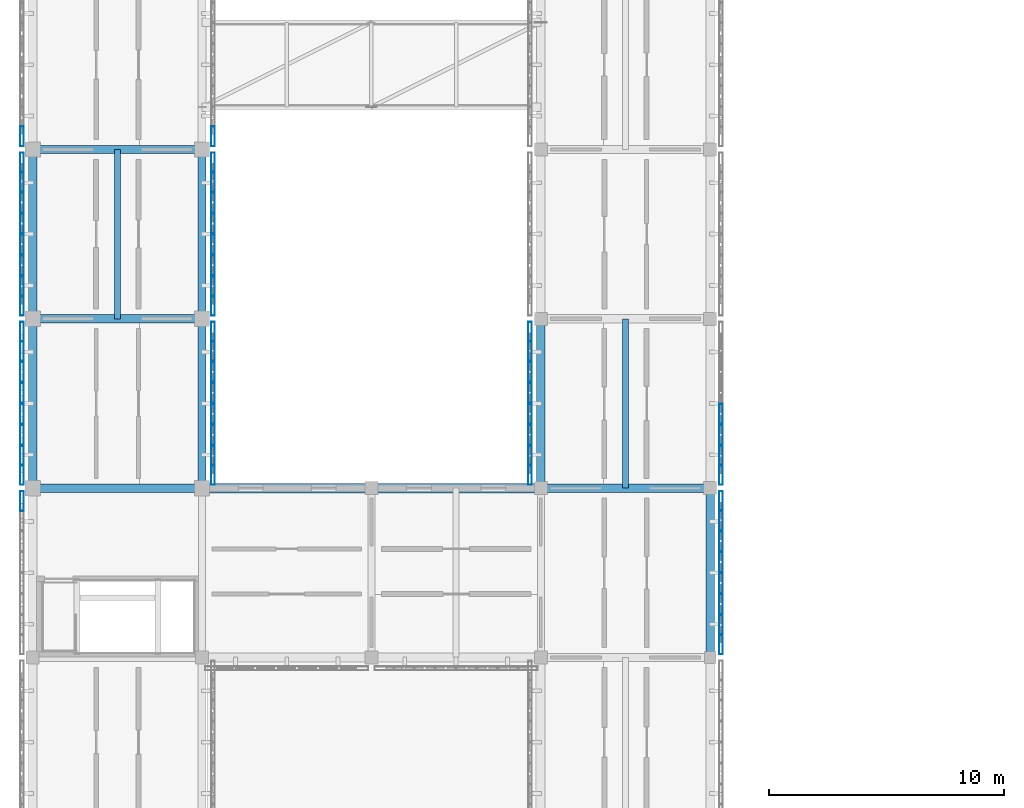
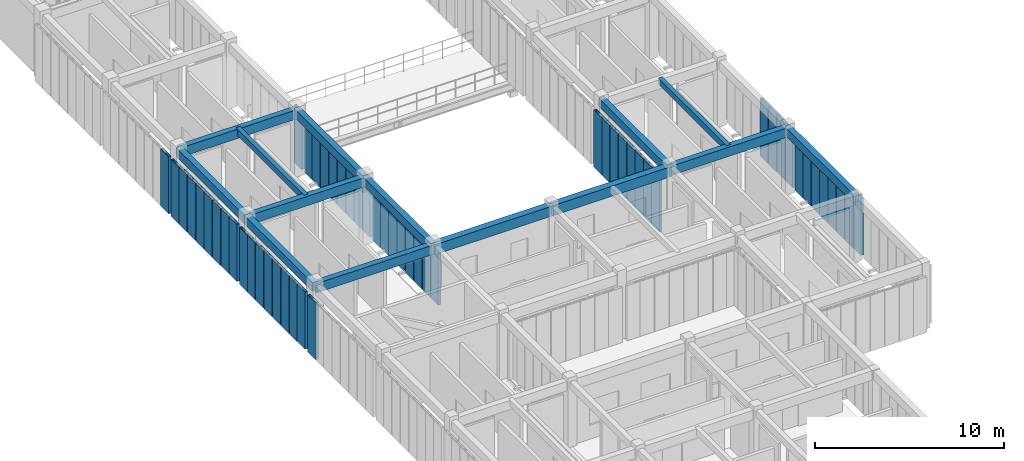
# One storey, part 7 of 91: 55 members, 14 beams, 10 elements without a shape of their own.
"""IFC4 building model written with IfcOpenShell, lengths in metres."""

from ifc_helpers import new_model, si_unit, direction, frame, origin, origin_2d, place, context, subcontext, project, spatial, rectangle, hollow_rectangle, extrude, material, material_profile, profile_set, type_object, element, aggregate, save


model = new_model("IFC4")

# Units and contexts
model_context = context("Model", 3, precision=1e-05, world=origin(), true_north=direction((0.0, 1.0)))
body_context = subcontext(model_context, "Body", "Model", "MODEL_VIEW")
ifc_project = project(units=[si_unit("LENGTHUNIT", "METRE"), si_unit("AREAUNIT", "SQUARE_METRE"), si_unit("VOLUMEUNIT", "CUBIC_METRE"), si_unit("PLANEANGLEUNIT", "RADIAN"), si_unit("MASSUNIT", "GRAM", prefix="KILO")], contexts=[model_context])

# Site, building, storey
site_placement = place(None, origin())
site = spatial("IfcSite", under=ifc_project, at=site_placement, CompositionType="ELEMENT")
building_placement = place(site_placement, origin())
building = spatial("IfcBuilding", under=site, at=building_placement, Name="Aldebral Square Health Centre", CompositionType="ELEMENT")
storey_placement = place(building_placement, frame((0.0, 0.0, 9.0)))
storey = spatial("IfcBuildingStorey", under=building, at=storey_placement, Name="L02", CompositionType="ELEMENT", Elevation=9.0)

# Beams
ifc_material_1 = material(Name="Concrete C40/50", Category="concrete")
ifc_material_profile_1 = material_profile(ifc_material_1, rectangle(XDim=0.39990234375, YDim=0.64990234375, at=origin_2d()), Name="RC 400x650")
ifc_profile_set_1 = profile_set([ifc_material_profile_1], Name="Concrete C40/50")
beam_type_1 = type_object("IfcBeamType", Name="BM-B1", PredefinedType="BEAM", material=ifc_profile_set_1)
beam_1_placement = place(storey_placement, frame((7.199951171875, 64.800048828125, 3.9150390625), z_axis=(1.0, 0.0, 0.0), x_axis=(0.0, 1.0, 0.0)))
element("IfcBeam", 1, at=beam_1_placement, inside=storey, type_object=beam_type_1, Name="L02 X-beam 2-3/G10", PredefinedType="BEAM", context=body_context, shape_type="SweptSolid", body=[
    extrude(rectangle(XDim=0.39990234375, YDim=0.64990234375, at=origin_2d()), origin(), (0.0, 0.0, 1.0), 7.199951171875),
])
beam_2_placement = place(storey_placement, frame((14.39990234375, 64.800048828125, 3.9150390625), z_axis=(1.0, 0.0, 0.0), x_axis=(0.0, 1.0, 0.0)))
element("IfcBeam", 2, at=beam_2_placement, inside=storey, type_object=beam_type_1, Name="L02 X-beam 3-4/G10", PredefinedType="BEAM", context=body_context, shape_type="SweptSolid", body=[
    extrude(rectangle(XDim=0.39990234375, YDim=0.64990234375, at=origin_2d()), origin(), (0.0, 0.0, 1.0), 7.2001953125),
])
ifc_material_profile_2 = material_profile(ifc_material_1, rectangle(XDim=0.35009765625, YDim=0.60009765625, at=origin_2d()), Name="RC 350x600")
ifc_profile_set_2 = profile_set([ifc_material_profile_2], Name="Concrete C40/50")
beam_type_2 = type_object("IfcBeamType", Name="BM-B2", PredefinedType="BEAM", material=ifc_profile_set_2)
for number, where, z_axis, x_axis, name in (
    (3, (0.0, 64.800048828125, 3.93994140625), (1.0, 0.0, 0.0), (0.0, 1.0, 0.0), "L02 X-beam 1-2/G10"),
    (4, (0.0, 72.0, 3.93994140625), (1.0, 0.0, 0.0), (0.0, 1.0, 0.0), "L02 X-beam 1-2/G11"),
    (5, (0.0, 79.199951171875, 3.93994140625), (1.0, 0.0, 0.0), (0.0, 1.0, 0.0), "L02 X-beam 1-2/G12"),
    (6, (21.60009765625, 64.800048828125, 3.93994140625), (1.0, 0.0, 0.0), (0.0, 1.0, 0.0), "L02 X-beam 4-5/G10"),
):
    element("IfcBeam", number, at=place(storey_placement, frame(where, z_axis=z_axis, x_axis=x_axis)), inside=storey, type_object=beam_type_2, Name=name, PredefinedType="BEAM", context=body_context, shape_type="SweptSolid", body=[
        extrude(rectangle(XDim=0.35009765625, YDim=0.60009765625, at=origin_2d()), origin(), (0.0, 0.0, 1.0), 7.199951171875),
    ])
ifc_material_profile_3 = material_profile(ifc_material_1, rectangle(XDim=0.35009765625, YDim=0.550048828125, at=origin_2d()), Name="RC 350x550")
ifc_profile_set_3 = profile_set([ifc_material_profile_3], Name="Concrete C40/50")
beam_type_3 = type_object("IfcBeamType", Name="BM-B3", PredefinedType="BEAM", material=ifc_profile_set_3)
for number, where, z_axis, x_axis, name in (
    (7, (0.0, 64.800048828125, 3.965087890625), (0.0, 1.0, 0.0), (-1.0, 0.0, 0.0), "L02 Y-beam G1/10-11"),
    (8, (0.0, 72.0, 3.965087890625), (0.0, 1.0, 0.0), (-1.0, 0.0, 0.0), "L02 Y-beam G1/11-12"),
    (9, (7.199951171875, 64.800048828125, 3.965087890625), (0.0, 1.0, 0.0), (-1.0, 0.0, 0.0), "L02 Y-beam G2/10-11"),
    (10, (7.199951171875, 72.0, 3.965087890625), (0.0, 1.0, 0.0), (-1.0, 0.0, 0.0), "L02 Y-beam G2/11-12"),
    (11, (21.60009765625, 64.800048828125, 3.965087890625), (0.0, 1.0, 0.0), (-1.0, 0.0, 0.0), "L02 Y-beam G4/10-11"),
    (12, (28.800048828125, 57.60009765625, 3.965087890625), (0.0, 1.0, 0.0), (-1.0, 0.0, 0.0), "L02 Y-beam G5/9-10"),
):
    element("IfcBeam", number, at=place(storey_placement, frame(where, z_axis=z_axis, x_axis=x_axis)), inside=storey, type_object=beam_type_3, Name=name, PredefinedType="BEAM", context=body_context, shape_type="SweptSolid", body=[
        extrude(rectangle(XDim=0.35009765625, YDim=0.550048828125, at=origin_2d()), origin(), (0.0, 0.0, 1.0), 7.199951171875),
    ])
ifc_material_profile_4 = material_profile(ifc_material_1, rectangle(XDim=0.25, YDim=0.39990234375, at=origin_2d()), Name="RC 250x400")
ifc_profile_set_4 = profile_set([ifc_material_profile_4], Name="Concrete C40/50")
beam_type_4 = type_object("IfcBeamType", Name="BM-B6", PredefinedType="JOIST", material=ifc_profile_set_4)
for number, where, z_axis, x_axis, name in (
    (13, (3.60009765625, 72.0, 4.0400390625), (0.0, 1.0, 0.0), (-1.0, 0.0, 0.0), "L02 secondary rib 1.11"),
    (14, (25.199951171875, 64.800048828125, 4.0400390625), (0.0, 1.0, 0.0), (-1.0, 0.0, 0.0), "L02 secondary rib 4.10"),
):
    element("IfcBeam", number, at=place(storey_placement, frame(where, z_axis=z_axis, x_axis=x_axis)), inside=storey, type_object=beam_type_4, Name=name, PredefinedType="JOIST", context=body_context, shape_type="SweptSolid", body=[
        extrude(rectangle(XDim=0.25, YDim=0.39990234375, at=origin_2d()), origin(), (0.0, 0.0, 1.0), 7.199951171875),
    ])

# Curtain wall, member
ifc_material_2 = material(Name="Aluminium and low-E solar glass", Category="aluminium")
curtain_wall_type = type_object("IfcCurtainWallType", Name="CW-FIN-SYS", PredefinedType="USERDEFINED", material=ifc_material_2)
curtain_wall_1_placement = place(storey_placement, origin())
curtain_wall_1 = element("IfcCurtainWall", 15, at=curtain_wall_1_placement, inside=storey, type_object=curtain_wall_type, Name="L02 V4 finned curtain wall L02-V4-00-08-W", ObjectType="SOLAR_CURTAIN_WALL", PredefinedType="USERDEFINED")
ifc_material_3 = material(Name="Sienna-terracotta clad aluminium fin", Category="masonry")
ifc_material_profile_5 = material_profile(ifc_material_3, hollow_rectangle(XDim=0.159912109375, YDim=0.85009765625, WallThickness=0.006103515625, at=origin_2d()), Name="FIN 160x850x6")
ifc_profile_set_5 = profile_set([ifc_material_profile_5], Name="Sienna-terracotta clad aluminium fin")
member_type = type_object("IfcMemberType", Name="CWM-FIN", PredefinedType="MULLION", material=ifc_profile_set_5)
member_1_placement = place(storey_placement, frame((-0.4599609375, 64.239990234375, 0.0), z_axis=(0.0, 0.0, 1.0), x_axis=(1.0, 0.0, 0.0)))
member_1 = element("IfcMember", 16, at=member_1_placement, type_object=member_type, Name="CW1 mullion 1", PredefinedType="MULLION", context=body_context, shape_type="SweptSolid", body=[
    extrude(hollow_rectangle(XDim=0.159912109375, YDim=0.85009765625, WallThickness=0.006103515625, at=origin_2d()), origin(), (0.0, 0.0, 1.0), 3.68994140625),
])
aggregate(curtain_wall_1, [member_1])

# Curtain wall, members
curtain_wall_2_placement = place(storey_placement, origin())
curtain_wall_2 = element("IfcCurtainWall", 17, at=curtain_wall_2_placement, inside=storey, type_object=curtain_wall_type, Name="L02 V4 finned curtain wall L02-V4-00-09-W", ObjectType="SOLAR_CURTAIN_WALL", PredefinedType="USERDEFINED")
member_2_placement = place(storey_placement, frame((-0.4599609375, 71.43994140625, 0.0), z_axis=(0.0, 0.0, 1.0), x_axis=(1.0, 0.0, 0.0)))
member_2 = element("IfcMember", 18, at=member_2_placement, type_object=member_type, Name="CW1 mullion 1", PredefinedType="MULLION", context=body_context, shape_type="SweptSolid", body=[
    extrude(hollow_rectangle(XDim=0.159912109375, YDim=0.85009765625, WallThickness=0.006103515625, at=origin_2d()), origin(), (0.0, 0.0, 1.0), 3.68994140625),
])
member_3_placement = place(storey_placement, frame((-0.4599609375, 70.628662109375, 0.0), z_axis=(0.0, 0.0, 1.0), x_axis=(1.0, 0.0, 0.0)))
member_3 = element("IfcMember", 19, at=member_3_placement, type_object=member_type, Name="CW1 mullion 2", PredefinedType="MULLION", context=body_context, shape_type="SweptSolid", body=[
    extrude(hollow_rectangle(XDim=0.159912109375, YDim=0.85009765625, WallThickness=0.006103515625, at=origin_2d()), origin(), (0.0, 0.0, 1.0), 3.68994140625),
])
member_4_placement = place(storey_placement, frame((-0.4599609375, 69.737060546875, 0.0), z_axis=(0.0, 0.0, 1.0), x_axis=(1.0, 0.0, 0.0)))
member_4 = element("IfcMember", 20, at=member_4_placement, type_object=member_type, Name="CW1 mullion 3", PredefinedType="MULLION", context=body_context, shape_type="SweptSolid", body=[
    extrude(hollow_rectangle(XDim=0.159912109375, YDim=0.85009765625, WallThickness=0.006103515625, at=origin_2d()), origin(), (0.0, 0.0, 1.0), 3.68994140625),
])
member_5_placement = place(storey_placement, frame((-0.4599609375, 68.845703125, 0.0), z_axis=(0.0, 0.0, 1.0), x_axis=(1.0, 0.0, 0.0)))
member_5 = element("IfcMember", 21, at=member_5_placement, type_object=member_type, Name="CW1 mullion 4", PredefinedType="MULLION", context=body_context, shape_type="SweptSolid", body=[
    extrude(hollow_rectangle(XDim=0.159912109375, YDim=0.85009765625, WallThickness=0.006103515625, at=origin_2d()), origin(), (0.0, 0.0, 1.0), 3.68994140625),
])
member_6_placement = place(storey_placement, frame((-0.4599609375, 67.954345703125, 0.0), z_axis=(0.0, 0.0, 1.0), x_axis=(1.0, 0.0, 0.0)))
member_6 = element("IfcMember", 22, at=member_6_placement, type_object=member_type, Name="CW1 mullion 5", PredefinedType="MULLION", context=body_context, shape_type="SweptSolid", body=[
    extrude(hollow_rectangle(XDim=0.159912109375, YDim=0.85009765625, WallThickness=0.006103515625, at=origin_2d()), origin(), (0.0, 0.0, 1.0), 3.68994140625),
])
member_7_placement = place(storey_placement, frame((-0.4599609375, 67.062744140625, 0.0), z_axis=(0.0, 0.0, 1.0), x_axis=(1.0, 0.0, 0.0)))
member_7 = element("IfcMember", 23, at=member_7_placement, type_object=member_type, Name="CW1 mullion 6", PredefinedType="MULLION", context=body_context, shape_type="SweptSolid", body=[
    extrude(hollow_rectangle(XDim=0.159912109375, YDim=0.85009765625, WallThickness=0.006103515625, at=origin_2d()), origin(), (0.0, 0.0, 1.0), 3.68994140625),
])
member_8_placement = place(storey_placement, frame((-0.4599609375, 66.17138671875, 0.0), z_axis=(0.0, 0.0, 1.0), x_axis=(1.0, 0.0, 0.0)))
member_8 = element("IfcMember", 24, at=member_8_placement, type_object=member_type, Name="CW1 mullion 7", PredefinedType="MULLION", context=body_context, shape_type="SweptSolid", body=[
    extrude(hollow_rectangle(XDim=0.159912109375, YDim=0.85009765625, WallThickness=0.006103515625, at=origin_2d()), origin(), (0.0, 0.0, 1.0), 3.68994140625),
])
member_9_placement = place(storey_placement, frame((-0.4599609375, 65.360107421875, 0.0), z_axis=(0.0, 0.0, 1.0), x_axis=(1.0, 0.0, 0.0)))
member_9 = element("IfcMember", 25, at=member_9_placement, type_object=member_type, Name="CW1 mullion 8", PredefinedType="MULLION", context=body_context, shape_type="SweptSolid", body=[
    extrude(hollow_rectangle(XDim=0.159912109375, YDim=0.85009765625, WallThickness=0.006103515625, at=origin_2d()), origin(), (0.0, 0.0, 1.0), 3.68994140625),
])
aggregate(curtain_wall_2, [member_2, member_3, member_4, member_5, member_6, member_7, member_8, member_9])

curtain_wall_3_placement = place(storey_placement, origin())
curtain_wall_3 = element("IfcCurtainWall", 26, at=curtain_wall_3_placement, inside=storey, type_object=curtain_wall_type, Name="L02 V4 finned curtain wall L02-V4-00-09-E", ObjectType="SOLAR_CURTAIN_WALL", PredefinedType="USERDEFINED")
member_10_placement = place(storey_placement, frame((7.659912109375, 65.360107421875, 0.0), z_axis=(0.0, 0.0, 1.0), x_axis=(-1.0, 0.0, 0.0)))
member_10 = element("IfcMember", 27, at=member_10_placement, type_object=member_type, Name="CW1 mullion 1", PredefinedType="MULLION", context=body_context, shape_type="SweptSolid", body=[
    extrude(hollow_rectangle(XDim=0.159912109375, YDim=0.85009765625, WallThickness=0.006103515625, at=origin_2d()), origin(), (0.0, 0.0, 1.0), 3.68994140625),
])
member_11_placement = place(storey_placement, frame((7.659912109375, 66.17138671875, 0.0), z_axis=(0.0, 0.0, 1.0), x_axis=(-1.0, 0.0, 0.0)))
member_11 = element("IfcMember", 28, at=member_11_placement, type_object=member_type, Name="CW1 mullion 2", PredefinedType="MULLION", context=body_context, shape_type="SweptSolid", body=[
    extrude(hollow_rectangle(XDim=0.159912109375, YDim=0.85009765625, WallThickness=0.006103515625, at=origin_2d()), origin(), (0.0, 0.0, 1.0), 3.68994140625),
])
member_12_placement = place(storey_placement, frame((7.659912109375, 67.062744140625, 0.0), z_axis=(0.0, 0.0, 1.0), x_axis=(-1.0, 0.0, 0.0)))
member_12 = element("IfcMember", 29, at=member_12_placement, type_object=member_type, Name="CW1 mullion 3", PredefinedType="MULLION", context=body_context, shape_type="SweptSolid", body=[
    extrude(hollow_rectangle(XDim=0.159912109375, YDim=0.85009765625, WallThickness=0.006103515625, at=origin_2d()), origin(), (0.0, 0.0, 1.0), 3.68994140625),
])
member_13_placement = place(storey_placement, frame((7.659912109375, 67.954345703125, 0.0), z_axis=(0.0, 0.0, 1.0), x_axis=(-1.0, 0.0, 0.0)))
member_13 = element("IfcMember", 30, at=member_13_placement, type_object=member_type, Name="CW1 mullion 4", PredefinedType="MULLION", context=body_context, shape_type="SweptSolid", body=[
    extrude(hollow_rectangle(XDim=0.159912109375, YDim=0.85009765625, WallThickness=0.006103515625, at=origin_2d()), origin(), (0.0, 0.0, 1.0), 3.68994140625),
])
member_14_placement = place(storey_placement, frame((7.659912109375, 68.845703125, 0.0), z_axis=(0.0, 0.0, 1.0), x_axis=(-1.0, 0.0, 0.0)))
member_14 = element("IfcMember", 31, at=member_14_placement, type_object=member_type, Name="CW1 mullion 5", PredefinedType="MULLION", context=body_context, shape_type="SweptSolid", body=[
    extrude(hollow_rectangle(XDim=0.159912109375, YDim=0.85009765625, WallThickness=0.006103515625, at=origin_2d()), origin(), (0.0, 0.0, 1.0), 3.68994140625),
])
member_15_placement = place(storey_placement, frame((7.659912109375, 69.737060546875, 0.0), z_axis=(0.0, 0.0, 1.0), x_axis=(-1.0, 0.0, 0.0)))
member_15 = element("IfcMember", 32, at=member_15_placement, type_object=member_type, Name="CW1 mullion 6", PredefinedType="MULLION", context=body_context, shape_type="SweptSolid", body=[
    extrude(hollow_rectangle(XDim=0.159912109375, YDim=0.85009765625, WallThickness=0.006103515625, at=origin_2d()), origin(), (0.0, 0.0, 1.0), 3.68994140625),
])
member_16_placement = place(storey_placement, frame((7.659912109375, 70.628662109375, 0.0), z_axis=(0.0, 0.0, 1.0), x_axis=(-1.0, 0.0, 0.0)))
member_16 = element("IfcMember", 33, at=member_16_placement, type_object=member_type, Name="CW1 mullion 7", PredefinedType="MULLION", context=body_context, shape_type="SweptSolid", body=[
    extrude(hollow_rectangle(XDim=0.159912109375, YDim=0.85009765625, WallThickness=0.006103515625, at=origin_2d()), origin(), (0.0, 0.0, 1.0), 3.68994140625),
])
member_17_placement = place(storey_placement, frame((7.659912109375, 71.43994140625, 0.0), z_axis=(0.0, 0.0, 1.0), x_axis=(-1.0, 0.0, 0.0)))
member_17 = element("IfcMember", 34, at=member_17_placement, type_object=member_type, Name="CW1 mullion 8", PredefinedType="MULLION", context=body_context, shape_type="SweptSolid", body=[
    extrude(hollow_rectangle(XDim=0.159912109375, YDim=0.85009765625, WallThickness=0.006103515625, at=origin_2d()), origin(), (0.0, 0.0, 1.0), 3.68994140625),
])
aggregate(curtain_wall_3, [member_10, member_11, member_12, member_13, member_14, member_15, member_16, member_17])

curtain_wall_4_placement = place(storey_placement, origin())
curtain_wall_4 = element("IfcCurtainWall", 35, at=curtain_wall_4_placement, inside=storey, type_object=curtain_wall_type, Name="L02 V4 finned curtain wall L02-V4-00-10-W", ObjectType="SOLAR_CURTAIN_WALL", PredefinedType="USERDEFINED")
member_18_placement = place(storey_placement, frame((-0.4599609375, 78.639892578125, 0.0), z_axis=(0.0, 0.0, 1.0), x_axis=(1.0, 0.0, 0.0)))
member_18 = element("IfcMember", 36, at=member_18_placement, type_object=member_type, Name="CW1 mullion 1", PredefinedType="MULLION", context=body_context, shape_type="SweptSolid", body=[
    extrude(hollow_rectangle(XDim=0.159912109375, YDim=0.85009765625, WallThickness=0.006103515625, at=origin_2d()), origin(), (0.0, 0.0, 1.0), 3.68994140625),
])
member_19_placement = place(storey_placement, frame((-0.4599609375, 77.82861328125, 0.0), z_axis=(0.0, 0.0, 1.0), x_axis=(1.0, 0.0, 0.0)))
member_19 = element("IfcMember", 37, at=member_19_placement, type_object=member_type, Name="CW1 mullion 2", PredefinedType="MULLION", context=body_context, shape_type="SweptSolid", body=[
    extrude(hollow_rectangle(XDim=0.159912109375, YDim=0.85009765625, WallThickness=0.006103515625, at=origin_2d()), origin(), (0.0, 0.0, 1.0), 3.68994140625),
])
member_20_placement = place(storey_placement, frame((-0.4599609375, 76.937255859375, 0.0), z_axis=(0.0, 0.0, 1.0), x_axis=(1.0, 0.0, 0.0)))
member_20 = element("IfcMember", 38, at=member_20_placement, type_object=member_type, Name="CW1 mullion 3", PredefinedType="MULLION", context=body_context, shape_type="SweptSolid", body=[
    extrude(hollow_rectangle(XDim=0.159912109375, YDim=0.85009765625, WallThickness=0.006103515625, at=origin_2d()), origin(), (0.0, 0.0, 1.0), 3.68994140625),
])
member_21_placement = place(storey_placement, frame((-0.4599609375, 76.045654296875, 0.0), z_axis=(0.0, 0.0, 1.0), x_axis=(1.0, 0.0, 0.0)))
member_21 = element("IfcMember", 39, at=member_21_placement, type_object=member_type, Name="CW1 mullion 4", PredefinedType="MULLION", context=body_context, shape_type="SweptSolid", body=[
    extrude(hollow_rectangle(XDim=0.159912109375, YDim=0.85009765625, WallThickness=0.006103515625, at=origin_2d()), origin(), (0.0, 0.0, 1.0), 3.68994140625),
])
member_22_placement = place(storey_placement, frame((-0.4599609375, 75.154296875, 0.0), z_axis=(0.0, 0.0, 1.0), x_axis=(1.0, 0.0, 0.0)))
member_22 = element("IfcMember", 40, at=member_22_placement, type_object=member_type, Name="CW1 mullion 5", PredefinedType="MULLION", context=body_context, shape_type="SweptSolid", body=[
    extrude(hollow_rectangle(XDim=0.159912109375, YDim=0.85009765625, WallThickness=0.006103515625, at=origin_2d()), origin(), (0.0, 0.0, 1.0), 3.68994140625),
])
member_23_placement = place(storey_placement, frame((-0.4599609375, 74.262939453125, 0.0), z_axis=(0.0, 0.0, 1.0), x_axis=(1.0, 0.0, 0.0)))
member_23 = element("IfcMember", 41, at=member_23_placement, type_object=member_type, Name="CW1 mullion 6", PredefinedType="MULLION", context=body_context, shape_type="SweptSolid", body=[
    extrude(hollow_rectangle(XDim=0.159912109375, YDim=0.85009765625, WallThickness=0.006103515625, at=origin_2d()), origin(), (0.0, 0.0, 1.0), 3.68994140625),
])
member_24_placement = place(storey_placement, frame((-0.4599609375, 73.371337890625, 0.0), z_axis=(0.0, 0.0, 1.0), x_axis=(1.0, 0.0, 0.0)))
member_24 = element("IfcMember", 42, at=member_24_placement, type_object=member_type, Name="CW1 mullion 7", PredefinedType="MULLION", context=body_context, shape_type="SweptSolid", body=[
    extrude(hollow_rectangle(XDim=0.159912109375, YDim=0.85009765625, WallThickness=0.006103515625, at=origin_2d()), origin(), (0.0, 0.0, 1.0), 3.68994140625),
])
member_25_placement = place(storey_placement, frame((-0.4599609375, 72.56005859375, 0.0), z_axis=(0.0, 0.0, 1.0), x_axis=(1.0, 0.0, 0.0)))
member_25 = element("IfcMember", 43, at=member_25_placement, type_object=member_type, Name="CW1 mullion 8", PredefinedType="MULLION", context=body_context, shape_type="SweptSolid", body=[
    extrude(hollow_rectangle(XDim=0.159912109375, YDim=0.85009765625, WallThickness=0.006103515625, at=origin_2d()), origin(), (0.0, 0.0, 1.0), 3.68994140625),
])
aggregate(curtain_wall_4, [member_18, member_19, member_20, member_21, member_22, member_23, member_24, member_25])

curtain_wall_5_placement = place(storey_placement, origin())
curtain_wall_5 = element("IfcCurtainWall", 44, at=curtain_wall_5_placement, inside=storey, type_object=curtain_wall_type, Name="L02 V4 finned curtain wall L02-V4-00-10-E", ObjectType="SOLAR_CURTAIN_WALL", PredefinedType="USERDEFINED")
member_26_placement = place(storey_placement, frame((7.659912109375, 72.56005859375, 0.0), z_axis=(0.0, 0.0, 1.0), x_axis=(-1.0, 0.0, 0.0)))
member_26 = element("IfcMember", 45, at=member_26_placement, type_object=member_type, Name="CW1 mullion 1", PredefinedType="MULLION", context=body_context, shape_type="SweptSolid", body=[
    extrude(hollow_rectangle(XDim=0.159912109375, YDim=0.85009765625, WallThickness=0.006103515625, at=origin_2d()), origin(), (0.0, 0.0, 1.0), 3.68994140625),
])
member_27_placement = place(storey_placement, frame((7.659912109375, 73.371337890625, 0.0), z_axis=(0.0, 0.0, 1.0), x_axis=(-1.0, 0.0, 0.0)))
member_27 = element("IfcMember", 46, at=member_27_placement, type_object=member_type, Name="CW1 mullion 2", PredefinedType="MULLION", context=body_context, shape_type="SweptSolid", body=[
    extrude(hollow_rectangle(XDim=0.159912109375, YDim=0.85009765625, WallThickness=0.006103515625, at=origin_2d()), origin(), (0.0, 0.0, 1.0), 3.68994140625),
])
member_28_placement = place(storey_placement, frame((7.659912109375, 74.262939453125, 0.0), z_axis=(0.0, 0.0, 1.0), x_axis=(-1.0, 0.0, 0.0)))
member_28 = element("IfcMember", 47, at=member_28_placement, type_object=member_type, Name="CW1 mullion 3", PredefinedType="MULLION", context=body_context, shape_type="SweptSolid", body=[
    extrude(hollow_rectangle(XDim=0.159912109375, YDim=0.85009765625, WallThickness=0.006103515625, at=origin_2d()), origin(), (0.0, 0.0, 1.0), 3.68994140625),
])
member_29_placement = place(storey_placement, frame((7.659912109375, 75.154296875, 0.0), z_axis=(0.0, 0.0, 1.0), x_axis=(-1.0, 0.0, 0.0)))
member_29 = element("IfcMember", 48, at=member_29_placement, type_object=member_type, Name="CW1 mullion 4", PredefinedType="MULLION", context=body_context, shape_type="SweptSolid", body=[
    extrude(hollow_rectangle(XDim=0.159912109375, YDim=0.85009765625, WallThickness=0.006103515625, at=origin_2d()), origin(), (0.0, 0.0, 1.0), 3.68994140625),
])
member_30_placement = place(storey_placement, frame((7.659912109375, 76.045654296875, 0.0), z_axis=(0.0, 0.0, 1.0), x_axis=(-1.0, 0.0, 0.0)))
member_30 = element("IfcMember", 49, at=member_30_placement, type_object=member_type, Name="CW1 mullion 5", PredefinedType="MULLION", context=body_context, shape_type="SweptSolid", body=[
    extrude(hollow_rectangle(XDim=0.159912109375, YDim=0.85009765625, WallThickness=0.006103515625, at=origin_2d()), origin(), (0.0, 0.0, 1.0), 3.68994140625),
])
member_31_placement = place(storey_placement, frame((7.659912109375, 76.937255859375, 0.0), z_axis=(0.0, 0.0, 1.0), x_axis=(-1.0, 0.0, 0.0)))
member_31 = element("IfcMember", 50, at=member_31_placement, type_object=member_type, Name="CW1 mullion 6", PredefinedType="MULLION", context=body_context, shape_type="SweptSolid", body=[
    extrude(hollow_rectangle(XDim=0.159912109375, YDim=0.85009765625, WallThickness=0.006103515625, at=origin_2d()), origin(), (0.0, 0.0, 1.0), 3.68994140625),
])
member_32_placement = place(storey_placement, frame((7.659912109375, 77.82861328125, 0.0), z_axis=(0.0, 0.0, 1.0), x_axis=(-1.0, 0.0, 0.0)))
member_32 = element("IfcMember", 51, at=member_32_placement, type_object=member_type, Name="CW1 mullion 7", PredefinedType="MULLION", context=body_context, shape_type="SweptSolid", body=[
    extrude(hollow_rectangle(XDim=0.159912109375, YDim=0.85009765625, WallThickness=0.006103515625, at=origin_2d()), origin(), (0.0, 0.0, 1.0), 3.68994140625),
])
member_33_placement = place(storey_placement, frame((7.659912109375, 78.639892578125, 0.0), z_axis=(0.0, 0.0, 1.0), x_axis=(-1.0, 0.0, 0.0)))
member_33 = element("IfcMember", 52, at=member_33_placement, type_object=member_type, Name="CW1 mullion 8", PredefinedType="MULLION", context=body_context, shape_type="SweptSolid", body=[
    extrude(hollow_rectangle(XDim=0.159912109375, YDim=0.85009765625, WallThickness=0.006103515625, at=origin_2d()), origin(), (0.0, 0.0, 1.0), 3.68994140625),
])
aggregate(curtain_wall_5, [member_26, member_27, member_28, member_29, member_30, member_31, member_32, member_33])

# Curtain wall, member
curtain_wall_6_placement = place(storey_placement, origin())
curtain_wall_6 = element("IfcCurtainWall", 53, at=curtain_wall_6_placement, inside=storey, type_object=curtain_wall_type, Name="L02 V4 finned curtain wall L02-V4-00-11-W", ObjectType="SOLAR_CURTAIN_WALL", PredefinedType="USERDEFINED")
member_34_placement = place(storey_placement, frame((-0.4599609375, 79.760009765625, 0.0), z_axis=(0.0, 0.0, 1.0), x_axis=(1.0, 0.0, 0.0)))
member_34 = element("IfcMember", 54, at=member_34_placement, type_object=member_type, Name="CW1 mullion 8", PredefinedType="MULLION", context=body_context, shape_type="SweptSolid", body=[
    extrude(hollow_rectangle(XDim=0.159912109375, YDim=0.85009765625, WallThickness=0.006103515625, at=origin_2d()), origin(), (0.0, 0.0, 1.0), 3.68994140625),
])
aggregate(curtain_wall_6, [member_34])

curtain_wall_7_placement = place(storey_placement, origin())
curtain_wall_7 = element("IfcCurtainWall", 55, at=curtain_wall_7_placement, inside=storey, type_object=curtain_wall_type, Name="L02 V4 finned curtain wall L02-V4-00-11-E", ObjectType="SOLAR_CURTAIN_WALL", PredefinedType="USERDEFINED")
member_35_placement = place(storey_placement, frame((7.659912109375, 79.760009765625, 0.0), z_axis=(0.0, 0.0, 1.0), x_axis=(-1.0, 0.0, 0.0)))
member_35 = element("IfcMember", 56, at=member_35_placement, type_object=member_type, Name="CW1 mullion 1", PredefinedType="MULLION", context=body_context, shape_type="SweptSolid", body=[
    extrude(hollow_rectangle(XDim=0.159912109375, YDim=0.85009765625, WallThickness=0.006103515625, at=origin_2d()), origin(), (0.0, 0.0, 1.0), 3.68994140625),
])
aggregate(curtain_wall_7, [member_35])

# Curtain wall, members
curtain_wall_8_placement = place(storey_placement, origin())
curtain_wall_8 = element("IfcCurtainWall", 57, at=curtain_wall_8_placement, inside=storey, type_object=curtain_wall_type, Name="L02 V4 finned curtain wall L02-V4-03-08-E", ObjectType="SOLAR_CURTAIN_WALL", PredefinedType="USERDEFINED")
member_36_placement = place(storey_placement, frame((29.260009765625, 58.159912109375, 0.0), z_axis=(0.0, 0.0, 1.0), x_axis=(-1.0, 0.0, 0.0)))
member_36 = element("IfcMember", 58, at=member_36_placement, type_object=member_type, Name="CW1 mullion 1", PredefinedType="MULLION", context=body_context, shape_type="SweptSolid", body=[
    extrude(hollow_rectangle(XDim=0.159912109375, YDim=0.85009765625, WallThickness=0.006103515625, at=origin_2d()), origin(), (0.0, 0.0, 1.0), 3.68994140625),
])
member_37_placement = place(storey_placement, frame((29.260009765625, 58.971435546875, 0.0), z_axis=(0.0, 0.0, 1.0), x_axis=(-1.0, 0.0, 0.0)))
member_37 = element("IfcMember", 59, at=member_37_placement, type_object=member_type, Name="CW1 mullion 2", PredefinedType="MULLION", context=body_context, shape_type="SweptSolid", body=[
    extrude(hollow_rectangle(XDim=0.159912109375, YDim=0.85009765625, WallThickness=0.006103515625, at=origin_2d()), origin(), (0.0, 0.0, 1.0), 3.68994140625),
])
member_38_placement = place(storey_placement, frame((29.260009765625, 59.86279296875, 0.0), z_axis=(0.0, 0.0, 1.0), x_axis=(-1.0, 0.0, 0.0)))
member_38 = element("IfcMember", 60, at=member_38_placement, type_object=member_type, Name="CW1 mullion 3", PredefinedType="MULLION", context=body_context, shape_type="SweptSolid", body=[
    extrude(hollow_rectangle(XDim=0.159912109375, YDim=0.85009765625, WallThickness=0.006103515625, at=origin_2d()), origin(), (0.0, 0.0, 1.0), 3.68994140625),
])
member_39_placement = place(storey_placement, frame((29.260009765625, 60.75439453125, 0.0), z_axis=(0.0, 0.0, 1.0), x_axis=(-1.0, 0.0, 0.0)))
member_39 = element("IfcMember", 61, at=member_39_placement, type_object=member_type, Name="CW1 mullion 4", PredefinedType="MULLION", context=body_context, shape_type="SweptSolid", body=[
    extrude(hollow_rectangle(XDim=0.159912109375, YDim=0.85009765625, WallThickness=0.006103515625, at=origin_2d()), origin(), (0.0, 0.0, 1.0), 3.68994140625),
])
member_40_placement = place(storey_placement, frame((29.260009765625, 61.645751953125, 0.0), z_axis=(0.0, 0.0, 1.0), x_axis=(-1.0, 0.0, 0.0)))
member_40 = element("IfcMember", 62, at=member_40_placement, type_object=member_type, Name="CW1 mullion 5", PredefinedType="MULLION", context=body_context, shape_type="SweptSolid", body=[
    extrude(hollow_rectangle(XDim=0.159912109375, YDim=0.85009765625, WallThickness=0.006103515625, at=origin_2d()), origin(), (0.0, 0.0, 1.0), 3.68994140625),
])
member_41_placement = place(storey_placement, frame((29.260009765625, 62.537109375, 0.0), z_axis=(0.0, 0.0, 1.0), x_axis=(-1.0, 0.0, 0.0)))
member_41 = element("IfcMember", 63, at=member_41_placement, type_object=member_type, Name="CW1 mullion 6", PredefinedType="MULLION", context=body_context, shape_type="SweptSolid", body=[
    extrude(hollow_rectangle(XDim=0.159912109375, YDim=0.85009765625, WallThickness=0.006103515625, at=origin_2d()), origin(), (0.0, 0.0, 1.0), 3.68994140625),
])
member_42_placement = place(storey_placement, frame((29.260009765625, 63.428466796875, 0.0), z_axis=(0.0, 0.0, 1.0), x_axis=(-1.0, 0.0, 0.0)))
member_42 = element("IfcMember", 64, at=member_42_placement, type_object=member_type, Name="CW1 mullion 7", PredefinedType="MULLION", context=body_context, shape_type="SweptSolid", body=[
    extrude(hollow_rectangle(XDim=0.159912109375, YDim=0.85009765625, WallThickness=0.006103515625, at=origin_2d()), origin(), (0.0, 0.0, 1.0), 3.68994140625),
])
member_43_placement = place(storey_placement, frame((29.260009765625, 64.239990234375, 0.0), z_axis=(0.0, 0.0, 1.0), x_axis=(-1.0, 0.0, 0.0)))
member_43 = element("IfcMember", 65, at=member_43_placement, type_object=member_type, Name="CW1 mullion 8", PredefinedType="MULLION", context=body_context, shape_type="SweptSolid", body=[
    extrude(hollow_rectangle(XDim=0.159912109375, YDim=0.85009765625, WallThickness=0.006103515625, at=origin_2d()), origin(), (0.0, 0.0, 1.0), 3.68994140625),
])
aggregate(curtain_wall_8, [member_36, member_37, member_38, member_39, member_40, member_41, member_42, member_43])

curtain_wall_9_placement = place(storey_placement, origin())
curtain_wall_9 = element("IfcCurtainWall", 66, at=curtain_wall_9_placement, inside=storey, type_object=curtain_wall_type, Name="L02 V4 finned curtain wall L02-V4-03-09-W", ObjectType="SOLAR_CURTAIN_WALL", PredefinedType="USERDEFINED")
member_44_placement = place(storey_placement, frame((21.139892578125, 71.43994140625, 0.0), z_axis=(0.0, 0.0, 1.0), x_axis=(1.0, 0.0, 0.0)))
member_44 = element("IfcMember", 67, at=member_44_placement, type_object=member_type, Name="CW1 mullion 1", PredefinedType="MULLION", context=body_context, shape_type="SweptSolid", body=[
    extrude(hollow_rectangle(XDim=0.159912109375, YDim=0.85009765625, WallThickness=0.006103515625, at=origin_2d()), origin(), (0.0, 0.0, 1.0), 3.68994140625),
])
member_45_placement = place(storey_placement, frame((21.139892578125, 70.628662109375, 0.0), z_axis=(0.0, 0.0, 1.0), x_axis=(1.0, 0.0, 0.0)))
member_45 = element("IfcMember", 68, at=member_45_placement, type_object=member_type, Name="CW1 mullion 2", PredefinedType="MULLION", context=body_context, shape_type="SweptSolid", body=[
    extrude(hollow_rectangle(XDim=0.159912109375, YDim=0.85009765625, WallThickness=0.006103515625, at=origin_2d()), origin(), (0.0, 0.0, 1.0), 3.68994140625),
])
member_46_placement = place(storey_placement, frame((21.139892578125, 69.737060546875, 0.0), z_axis=(0.0, 0.0, 1.0), x_axis=(1.0, 0.0, 0.0)))
member_46 = element("IfcMember", 69, at=member_46_placement, type_object=member_type, Name="CW1 mullion 3", PredefinedType="MULLION", context=body_context, shape_type="SweptSolid", body=[
    extrude(hollow_rectangle(XDim=0.159912109375, YDim=0.85009765625, WallThickness=0.006103515625, at=origin_2d()), origin(), (0.0, 0.0, 1.0), 3.68994140625),
])
member_47_placement = place(storey_placement, frame((21.139892578125, 68.845703125, 0.0), z_axis=(0.0, 0.0, 1.0), x_axis=(1.0, 0.0, 0.0)))
member_47 = element("IfcMember", 70, at=member_47_placement, type_object=member_type, Name="CW1 mullion 4", PredefinedType="MULLION", context=body_context, shape_type="SweptSolid", body=[
    extrude(hollow_rectangle(XDim=0.159912109375, YDim=0.85009765625, WallThickness=0.006103515625, at=origin_2d()), origin(), (0.0, 0.0, 1.0), 3.68994140625),
])
member_48_placement = place(storey_placement, frame((21.139892578125, 67.954345703125, 0.0), z_axis=(0.0, 0.0, 1.0), x_axis=(1.0, 0.0, 0.0)))
member_48 = element("IfcMember", 71, at=member_48_placement, type_object=member_type, Name="CW1 mullion 5", PredefinedType="MULLION", context=body_context, shape_type="SweptSolid", body=[
    extrude(hollow_rectangle(XDim=0.159912109375, YDim=0.85009765625, WallThickness=0.006103515625, at=origin_2d()), origin(), (0.0, 0.0, 1.0), 3.68994140625),
])
member_49_placement = place(storey_placement, frame((21.139892578125, 67.062744140625, 0.0), z_axis=(0.0, 0.0, 1.0), x_axis=(1.0, 0.0, 0.0)))
member_49 = element("IfcMember", 72, at=member_49_placement, type_object=member_type, Name="CW1 mullion 6", PredefinedType="MULLION", context=body_context, shape_type="SweptSolid", body=[
    extrude(hollow_rectangle(XDim=0.159912109375, YDim=0.85009765625, WallThickness=0.006103515625, at=origin_2d()), origin(), (0.0, 0.0, 1.0), 3.68994140625),
])
member_50_placement = place(storey_placement, frame((21.139892578125, 66.17138671875, 0.0), z_axis=(0.0, 0.0, 1.0), x_axis=(1.0, 0.0, 0.0)))
member_50 = element("IfcMember", 73, at=member_50_placement, type_object=member_type, Name="CW1 mullion 7", PredefinedType="MULLION", context=body_context, shape_type="SweptSolid", body=[
    extrude(hollow_rectangle(XDim=0.159912109375, YDim=0.85009765625, WallThickness=0.006103515625, at=origin_2d()), origin(), (0.0, 0.0, 1.0), 3.68994140625),
])
member_51_placement = place(storey_placement, frame((21.139892578125, 65.360107421875, 0.0), z_axis=(0.0, 0.0, 1.0), x_axis=(1.0, 0.0, 0.0)))
member_51 = element("IfcMember", 74, at=member_51_placement, type_object=member_type, Name="CW1 mullion 8", PredefinedType="MULLION", context=body_context, shape_type="SweptSolid", body=[
    extrude(hollow_rectangle(XDim=0.159912109375, YDim=0.85009765625, WallThickness=0.006103515625, at=origin_2d()), origin(), (0.0, 0.0, 1.0), 3.68994140625),
])
aggregate(curtain_wall_9, [member_44, member_45, member_46, member_47, member_48, member_49, member_50, member_51])

curtain_wall_10_placement = place(storey_placement, origin())
curtain_wall_10 = element("IfcCurtainWall", 75, at=curtain_wall_10_placement, inside=storey, type_object=curtain_wall_type, Name="L02 V4 finned curtain wall L02-V4-03-09-E", ObjectType="SOLAR_CURTAIN_WALL", PredefinedType="USERDEFINED")
member_52_placement = place(storey_placement, frame((29.260009765625, 65.360107421875, 0.0), z_axis=(0.0, 0.0, 1.0), x_axis=(-1.0, 0.0, 0.0)))
member_52 = element("IfcMember", 76, at=member_52_placement, type_object=member_type, Name="CW1 mullion 1", PredefinedType="MULLION", context=body_context, shape_type="SweptSolid", body=[
    extrude(hollow_rectangle(XDim=0.159912109375, YDim=0.85009765625, WallThickness=0.006103515625, at=origin_2d()), origin(), (0.0, 0.0, 1.0), 3.68994140625),
])
member_53_placement = place(storey_placement, frame((29.260009765625, 66.17138671875, 0.0), z_axis=(0.0, 0.0, 1.0), x_axis=(-1.0, 0.0, 0.0)))
member_53 = element("IfcMember", 77, at=member_53_placement, type_object=member_type, Name="CW1 mullion 2", PredefinedType="MULLION", context=body_context, shape_type="SweptSolid", body=[
    extrude(hollow_rectangle(XDim=0.159912109375, YDim=0.85009765625, WallThickness=0.006103515625, at=origin_2d()), origin(), (0.0, 0.0, 1.0), 3.68994140625),
])
member_54_placement = place(storey_placement, frame((29.260009765625, 67.062744140625, 0.0), z_axis=(0.0, 0.0, 1.0), x_axis=(-1.0, 0.0, 0.0)))
member_54 = element("IfcMember", 78, at=member_54_placement, type_object=member_type, Name="CW1 mullion 3", PredefinedType="MULLION", context=body_context, shape_type="SweptSolid", body=[
    extrude(hollow_rectangle(XDim=0.159912109375, YDim=0.85009765625, WallThickness=0.006103515625, at=origin_2d()), origin(), (0.0, 0.0, 1.0), 3.68994140625),
])
member_55_placement = place(storey_placement, frame((29.260009765625, 67.954345703125, 0.0), z_axis=(0.0, 0.0, 1.0), x_axis=(-1.0, 0.0, 0.0)))
member_55 = element("IfcMember", 79, at=member_55_placement, type_object=member_type, Name="CW1 mullion 4", PredefinedType="MULLION", context=body_context, shape_type="SweptSolid", body=[
    extrude(hollow_rectangle(XDim=0.159912109375, YDim=0.85009765625, WallThickness=0.006103515625, at=origin_2d()), origin(), (0.0, 0.0, 1.0), 3.68994140625),
])
aggregate(curtain_wall_10, [member_52, member_53, member_54, member_55])

save(model, "model.ifc")
